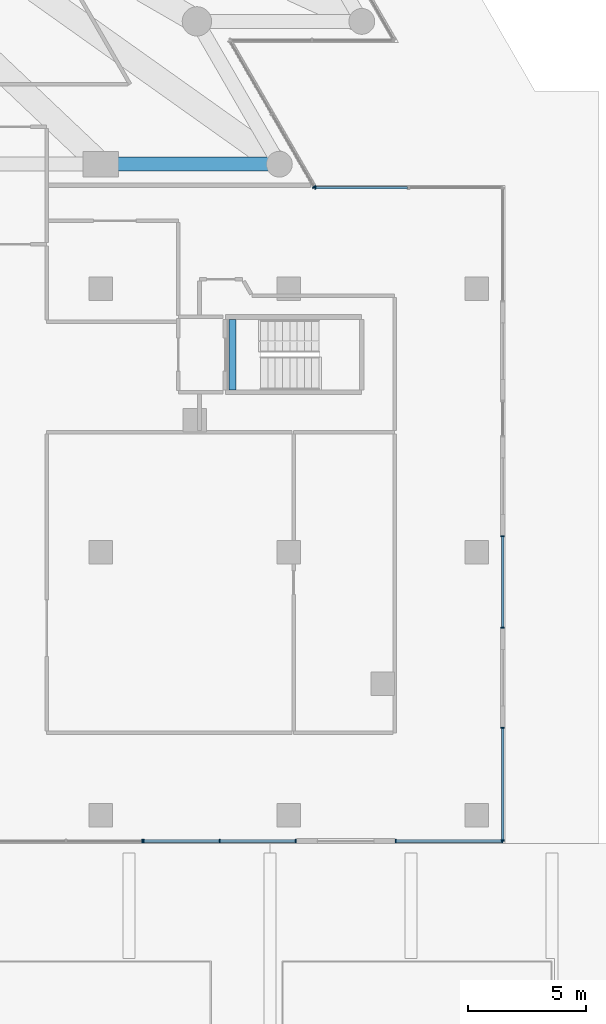
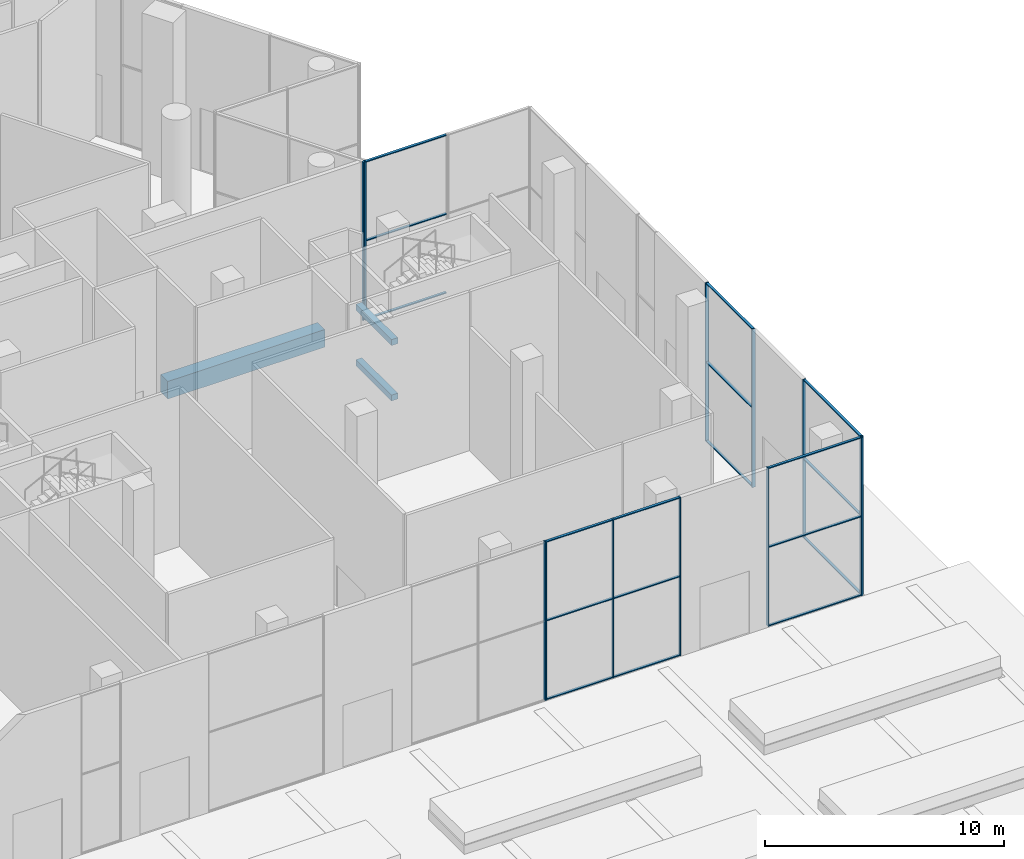
# One storey, part 8 of 41: 30 members, 3 beams, 7 elements without a shape of their own.
"""IFC4 building model written with IfcOpenShell, lengths in metres."""

from ifc_helpers import new_model, si_unit, direction, frame, origin, origin_2d, place, context, subcontext, project, spatial, rectangle, extrude, material, layer, layer_set, material_profile, profile_set, type_object, element, aggregate, save


model = new_model("IFC4")

# Units and contexts
model_context = context("Model", 3, precision=1e-05, world=origin(), true_north=direction((0.0, 1.0)))
body_context = subcontext(model_context, "Body", "Model", "MODEL_VIEW")
ifc_project = project(units=[si_unit("LENGTHUNIT", "METRE"), si_unit("AREAUNIT", "SQUARE_METRE"), si_unit("VOLUMEUNIT", "CUBIC_METRE"), si_unit("PLANEANGLEUNIT", "RADIAN"), si_unit("MASSUNIT", "GRAM", prefix="KILO")], contexts=[model_context])

# Site, building, storey
site_placement = place(None, origin())
site = spatial("IfcSite", under=ifc_project, at=site_placement, CompositionType="ELEMENT")
building_placement = place(site_placement, origin())
building = spatial("IfcBuilding", under=site, at=building_placement, Name="Triada Interchange Tower", CompositionType="ELEMENT")
storey_placement = place(building_placement, origin())
storey = spatial("IfcBuildingStorey", under=building, at=storey_placement, Name="L00", CompositionType="ELEMENT", Elevation=0.0)

# Beams
ifc_material_1 = material(Name="Concrete C35/45", Category="concrete")
ifc_material_profile_1 = material_profile(ifc_material_1, rectangle(XDim=0.300048828125, YDim=0.300048828125, at=origin_2d()), Name="RC 300x300")
ifc_profile_set_1 = profile_set([ifc_material_profile_1], Name="Concrete C35/45")
beam_type_1 = type_object("IfcBeamType", Name="Landing support beam RC 300x300", PredefinedType="BEAM", material=ifc_profile_set_1)
for number, where, z_axis, x_axis, name in (
    (1, (28.39990234375, -28.199951171875, 2.4833984375), (0.0, -1.0, 0.0), (1.0, 0.0, 0.0), "Landing support beam S00-9 1"),
    (2, (28.39990234375, -28.199951171875, 5.31689453125), (0.0, -1.0, 0.0), (1.0, 0.0, 0.0), "Landing support beam S00-9 2"),
):
    element("IfcBeam", number, at=place(storey_placement, frame(where, z_axis=z_axis, x_axis=x_axis)), inside=storey, type_object=beam_type_1, Name=name, PredefinedType="BEAM", context=body_context, shape_type="SweptSolid", body=[
        extrude(rectangle(XDim=0.300048828125, YDim=0.300048828125, at=origin_2d()), origin(), (0.0, 0.0, 1.0), 3.0),
    ])

# Curtain wall, member
ifc_material_2 = material(Name="Aluminium framed glazing", Category="aluminium")
ifc_layer_1 = layer(ifc_material_2, 0.199951171875)
ifc_layer_set_1 = layer_set([ifc_layer_1], Name="Curtain wall Retail shopfront")
curtain_wall_type_1 = type_object("IfcCurtainWallType", Name="Curtain wall Retail shopfront", PredefinedType="NOTDEFINED", material=ifc_layer_set_1)
curtain_wall_1_placement = place(storey_placement, origin())
curtain_wall_1 = element("IfcCurtainWall", 3, at=curtain_wall_1_placement, inside=storey, type_object=curtain_wall_type_1, Name="Retail shopfront CW008 L00", PredefinedType="NOTDEFINED")
ifc_material_3 = material(Name="Aluminium", Category="aluminium")
ifc_material_profile_2 = material_profile(ifc_material_3, rectangle(XDim=0.14990234375, YDim=0.050048828125, at=origin_2d()), Name="Aluminium mullion")
ifc_profile_set_2 = profile_set([ifc_material_profile_2], Name="Aluminium")
member_type_1 = type_object("IfcMemberType", Name="Mullion Retail shopfront 150x50", PredefinedType="MULLION", material=ifc_profile_set_2)
member_1_placement = place(storey_placement, frame((24.56005859375, -50.39990234375, 0.0), z_axis=(0.0, 0.0, 1.0), x_axis=(0.0, 1.0, 0.0)))
member_1 = element("IfcMember", 4, at=member_1_placement, type_object=member_type_1, Name="CW008 mullion 3", PredefinedType="MULLION", context=body_context, shape_type="SweptSolid", body=[
    extrude(rectangle(XDim=0.14990234375, YDim=0.050048828125, at=origin_2d()), origin(), (0.0, 0.0, 1.0), 8.10009765625),
])
aggregate(curtain_wall_1, [member_1])

# Curtain wall, members
curtain_wall_2_placement = place(storey_placement, origin())
curtain_wall_2 = element("IfcCurtainWall", 5, at=curtain_wall_2_placement, inside=storey, type_object=curtain_wall_type_1, Name="Retail shopfront CW009 L00", PredefinedType="NOTDEFINED")
member_2_placement = place(storey_placement, frame((24.6201171875, -50.39990234375, 0.0), z_axis=(0.0, 0.0, 1.0), x_axis=(0.0, 1.0, 0.0)))
member_2 = element("IfcMember", 6, at=member_2_placement, type_object=member_type_1, Name="CW009 mullion 1", PredefinedType="MULLION", context=body_context, shape_type="SweptSolid", body=[
    extrude(rectangle(XDim=0.14990234375, YDim=0.050048828125, at=origin_2d()), origin(), (0.0, 0.0, 1.0), 8.10009765625),
])
member_3_placement = place(storey_placement, frame((27.857421875, -50.39990234375, 0.0), z_axis=(0.0, 0.0, 1.0), x_axis=(0.0, 1.0, 0.0)))
member_3 = element("IfcMember", 7, at=member_3_placement, type_object=member_type_1, Name="CW009 mullion 2", PredefinedType="MULLION", context=body_context, shape_type="SweptSolid", body=[
    extrude(rectangle(XDim=0.14990234375, YDim=0.050048828125, at=origin_2d()), origin(), (0.0, 0.0, 1.0), 8.10009765625),
])
member_4_placement = place(storey_placement, frame((31.094970703125, -50.39990234375, 0.0), z_axis=(0.0, 0.0, 1.0), x_axis=(0.0, 1.0, 0.0)))
member_4 = element("IfcMember", 8, at=member_4_placement, type_object=member_type_1, Name="CW009 mullion 3", PredefinedType="MULLION", context=body_context, shape_type="SweptSolid", body=[
    extrude(rectangle(XDim=0.14990234375, YDim=0.050048828125, at=origin_2d()), origin(), (0.0, 0.0, 1.0), 8.10009765625),
])

curtain_wall_3_placement = place(storey_placement, origin())
curtain_wall_3 = element("IfcCurtainWall", 9, at=curtain_wall_3_placement, inside=storey, type_object=curtain_wall_type_1, Name="Retail shopfront CW010 L00", PredefinedType="NOTDEFINED")
member_5_placement = place(storey_placement, frame((35.344970703125, -50.39990234375, 0.0), z_axis=(0.0, 0.0, 1.0), x_axis=(0.0, 1.0, 0.0)))
member_5 = element("IfcMember", 10, at=member_5_placement, type_object=member_type_1, Name="CW010 mullion 1", PredefinedType="MULLION", context=body_context, shape_type="SweptSolid", body=[
    extrude(rectangle(XDim=0.14990234375, YDim=0.050048828125, at=origin_2d()), origin(), (0.0, 0.0, 1.0), 8.10009765625),
])
member_6_placement = place(storey_placement, frame((39.875, -50.39990234375, 0.0), z_axis=(0.0, 0.0, 1.0), x_axis=(0.0, 1.0, 0.0)))
member_6 = element("IfcMember", 11, at=member_6_placement, type_object=member_type_1, Name="CW010 mullion 2", PredefinedType="MULLION", context=body_context, shape_type="SweptSolid", body=[
    extrude(rectangle(XDim=0.14990234375, YDim=0.050048828125, at=origin_2d()), origin(), (0.0, 0.0, 1.0), 8.10009765625),
])

curtain_wall_4_placement = place(storey_placement, origin())
curtain_wall_4 = element("IfcCurtainWall", 12, at=curtain_wall_4_placement, inside=storey, type_object=curtain_wall_type_1, Name="Retail shopfront CW011 L00", PredefinedType="NOTDEFINED")
member_7_placement = place(storey_placement, frame((39.89990234375, -50.375, 0.0), z_axis=(0.0, 0.0, 1.0), x_axis=(-1.0, 0.0, 0.0)))
member_7 = element("IfcMember", 13, at=member_7_placement, type_object=member_type_1, Name="CW011 mullion 1", PredefinedType="MULLION", context=body_context, shape_type="SweptSolid", body=[
    extrude(rectangle(XDim=0.14990234375, YDim=0.050048828125, at=origin_2d()), origin(), (0.0, 0.0, 1.0), 8.10009765625),
])
member_8_placement = place(storey_placement, frame((39.89990234375, -45.574951171875, 0.0), z_axis=(0.0, 0.0, 1.0), x_axis=(-1.0, 0.0, 0.0)))
member_8 = element("IfcMember", 14, at=member_8_placement, type_object=member_type_1, Name="CW011 mullion 2", PredefinedType="MULLION", context=body_context, shape_type="SweptSolid", body=[
    extrude(rectangle(XDim=0.14990234375, YDim=0.050048828125, at=origin_2d()), origin(), (0.0, 0.0, 1.0), 8.10009765625),
])

curtain_wall_5_placement = place(storey_placement, origin())
curtain_wall_5 = element("IfcCurtainWall", 15, at=curtain_wall_5_placement, inside=storey, type_object=curtain_wall_type_1, Name="Retail shopfront CW012 L00", PredefinedType="NOTDEFINED")
member_9_placement = place(storey_placement, frame((39.89990234375, -41.324951171875, 0.0), z_axis=(0.0, 0.0, 1.0), x_axis=(-1.0, 0.0, 0.0)))
member_9 = element("IfcMember", 16, at=member_9_placement, type_object=member_type_1, Name="CW012 mullion 1", PredefinedType="MULLION", context=body_context, shape_type="SweptSolid", body=[
    extrude(rectangle(XDim=0.14990234375, YDim=0.050048828125, at=origin_2d()), origin(), (0.0, 0.0, 1.0), 8.10009765625),
])
member_10_placement = place(storey_placement, frame((39.89990234375, -37.425048828125, 0.0), z_axis=(0.0, 0.0, 1.0), x_axis=(-1.0, 0.0, 0.0)))
member_10 = element("IfcMember", 17, at=member_10_placement, type_object=member_type_1, Name="CW012 mullion 2", PredefinedType="MULLION", context=body_context, shape_type="SweptSolid", body=[
    extrude(rectangle(XDim=0.14990234375, YDim=0.050048828125, at=origin_2d()), origin(), (0.0, 0.0, 1.0), 8.10009765625),
])

# Curtain wall, member
curtain_wall_6_placement = place(storey_placement, origin())
curtain_wall_6 = element("IfcCurtainWall", 18, at=curtain_wall_6_placement, inside=storey, type_object=curtain_wall_type_1, Name="Retail shopfront CW016 L00", PredefinedType="NOTDEFINED")
member_11_placement = place(storey_placement, frame((31.923095703125, -22.60009765625, 0.0), z_axis=(0.0, 0.0, 1.0), x_axis=(0.0, -1.0, 0.0)))
member_11 = element("IfcMember", 19, at=member_11_placement, type_object=member_type_1, Name="CW016 mullion 2", PredefinedType="MULLION", context=body_context, shape_type="SweptSolid", body=[
    extrude(rectangle(XDim=0.14990234375, YDim=0.050048828125, at=origin_2d()), origin(), (0.0, 0.0, 1.0), 8.10009765625),
])

ifc_layer_2 = layer(ifc_material_2, 0.199951171875)
ifc_layer_set_2 = layer_set([ifc_layer_2], Name="Curtain wall Tower lobby glazing")
curtain_wall_type_2 = type_object("IfcCurtainWallType", Name="Curtain wall Tower lobby glazing", PredefinedType="NOTDEFINED", material=ifc_layer_set_2)
curtain_wall_7_placement = place(storey_placement, origin())
curtain_wall_7 = element("IfcCurtainWall", 20, at=curtain_wall_7_placement, inside=storey, type_object=curtain_wall_type_2, Name="Tower lobby glazing CW017 L00", PredefinedType="NOTDEFINED")
ifc_material_profile_3 = material_profile(ifc_material_3, rectangle(XDim=0.179931640625, YDim=0.06005859375, at=origin_2d()), Name="Aluminium mullion")
ifc_profile_set_3 = profile_set([ifc_material_profile_3], Name="Aluminium")
member_type_2 = type_object("IfcMemberType", Name="Mullion Tower lobby glazing 180x60", PredefinedType="MULLION", material=ifc_profile_set_3)
member_12_placement = place(storey_placement, frame((31.883056640625, -22.573974609375, 0.0), z_axis=(0.0, 0.0, 1.0), x_axis=(-0.866077569894, -0.499909634761, 0.0)))
member_12 = element("IfcMember", 21, at=member_12_placement, type_object=member_type_2, Name="CW017 mullion 1", PredefinedType="MULLION", context=body_context, shape_type="SweptSolid", body=[
    extrude(rectangle(XDim=0.179931640625, YDim=0.06005859375, at=origin_2d()), origin(), (0.0, 0.0, 1.0), 8.10009765625),
])
aggregate(curtain_wall_7, [member_12])

# Beam
ifc_material_4 = material(Name="Concrete C50/60", Category="concrete")
ifc_material_profile_4 = material_profile(ifc_material_4, rectangle(XDim=0.60009765625, YDim=0.89990234375, at=origin_2d()), Name="RC 600x900")
ifc_profile_set_4 = profile_set([ifc_material_profile_4], Name="Concrete C50/60")
beam_type_2 = type_object("IfcBeamType", Name="Spandrel beam P RC 600x900", PredefinedType="BEAM", material=ifc_profile_set_4)
beam_placement = place(storey_placement, frame((22.798095703125, -21.60009765625, -0.85009765625), z_axis=(1.0, 0.0, 0.0), x_axis=(0.0, 1.0, 0.0)))
element("IfcBeam", 22, at=beam_placement, inside=storey, type_object=beam_type_2, Name="Spandrel beam EP18 L00", PredefinedType="BEAM", context=body_context, shape_type="SweptSolid", body=[
    extrude(rectangle(XDim=0.60009765625, YDim=0.89990234375, at=origin_2d()), origin(), (0.0, 0.0, 1.0), 7.598876953125),
])

# Member
ifc_material_profile_5 = material_profile(ifc_material_3, rectangle(XDim=0.1201171875, YDim=0.050048828125, at=origin_2d()), Name="Aluminium transom")
ifc_profile_set_5 = profile_set([ifc_material_profile_5], Name="Aluminium")
member_type_3 = type_object("IfcMemberType", Name="Transom Retail shopfront 120x50", PredefinedType="USERDEFINED", material=ifc_profile_set_5)
member_13_placement = place(storey_placement, frame((24.64501953125, -50.39990234375, 0.02490234375), z_axis=(1.0, 0.0, 0.0), x_axis=(0.0, 1.0, 0.0)))
member_13 = element("IfcMember", 23, at=member_13_placement, type_object=member_type_3, Name="CW009 transom 1.1", ObjectType="TRANSOM", PredefinedType="USERDEFINED", context=body_context, shape_type="SweptSolid", body=[
    extrude(rectangle(XDim=0.1201171875, YDim=0.050048828125, at=origin_2d()), origin(), (0.0, 0.0, 1.0), 3.1875),
])

member_14_placement = place(storey_placement, frame((24.64501953125, -50.39990234375, 4.050048828125), z_axis=(1.0, 0.0, 0.0), x_axis=(0.0, 1.0, 0.0)))
member_14 = element("IfcMember", 24, at=member_14_placement, type_object=member_type_3, Name="CW009 transom 1.2", ObjectType="TRANSOM", PredefinedType="USERDEFINED", context=body_context, shape_type="SweptSolid", body=[
    extrude(rectangle(XDim=0.1201171875, YDim=0.050048828125, at=origin_2d()), origin(), (0.0, 0.0, 1.0), 3.1875),
])

member_15_placement = place(storey_placement, frame((24.64501953125, -50.39990234375, 8.074951171875), z_axis=(1.0, 0.0, 0.0), x_axis=(0.0, 1.0, 0.0)))
member_15 = element("IfcMember", 25, at=member_15_placement, type_object=member_type_3, Name="CW009 transom 1.3", ObjectType="TRANSOM", PredefinedType="USERDEFINED", context=body_context, shape_type="SweptSolid", body=[
    extrude(rectangle(XDim=0.1201171875, YDim=0.050048828125, at=origin_2d()), origin(), (0.0, 0.0, 1.0), 3.1875),
])

member_16_placement = place(storey_placement, frame((27.882568359375, -50.39990234375, 0.02490234375), z_axis=(1.0, 0.0, 0.0), x_axis=(0.0, 1.0, 0.0)))
member_16 = element("IfcMember", 26, at=member_16_placement, type_object=member_type_3, Name="CW009 transom 2.1", ObjectType="TRANSOM", PredefinedType="USERDEFINED", context=body_context, shape_type="SweptSolid", body=[
    extrude(rectangle(XDim=0.1201171875, YDim=0.050048828125, at=origin_2d()), origin(), (0.0, 0.0, 1.0), 3.1875),
])

member_17_placement = place(storey_placement, frame((27.882568359375, -50.39990234375, 4.050048828125), z_axis=(1.0, 0.0, 0.0), x_axis=(0.0, 1.0, 0.0)))
member_17 = element("IfcMember", 27, at=member_17_placement, type_object=member_type_3, Name="CW009 transom 2.2", ObjectType="TRANSOM", PredefinedType="USERDEFINED", context=body_context, shape_type="SweptSolid", body=[
    extrude(rectangle(XDim=0.1201171875, YDim=0.050048828125, at=origin_2d()), origin(), (0.0, 0.0, 1.0), 3.1875),
])

member_18_placement = place(storey_placement, frame((27.882568359375, -50.39990234375, 8.074951171875), z_axis=(1.0, 0.0, 0.0), x_axis=(0.0, 1.0, 0.0)))
member_18 = element("IfcMember", 28, at=member_18_placement, type_object=member_type_3, Name="CW009 transom 2.3", ObjectType="TRANSOM", PredefinedType="USERDEFINED", context=body_context, shape_type="SweptSolid", body=[
    extrude(rectangle(XDim=0.1201171875, YDim=0.050048828125, at=origin_2d()), origin(), (0.0, 0.0, 1.0), 3.1875),
])

aggregate(curtain_wall_2, [member_2, member_3, member_4, member_13, member_14, member_15, member_16, member_17, member_18])

member_19_placement = place(storey_placement, frame((35.3701171875, -50.39990234375, 0.02490234375), z_axis=(1.0, 0.0, 0.0), x_axis=(0.0, 1.0, 0.0)))
member_19 = element("IfcMember", 29, at=member_19_placement, type_object=member_type_3, Name="CW010 transom 1.1", ObjectType="TRANSOM", PredefinedType="USERDEFINED", context=body_context, shape_type="SweptSolid", body=[
    extrude(rectangle(XDim=0.1201171875, YDim=0.050048828125, at=origin_2d()), origin(), (0.0, 0.0, 1.0), 4.47998046875),
])

member_20_placement = place(storey_placement, frame((35.3701171875, -50.39990234375, 4.050048828125), z_axis=(1.0, 0.0, 0.0), x_axis=(0.0, 1.0, 0.0)))
member_20 = element("IfcMember", 30, at=member_20_placement, type_object=member_type_3, Name="CW010 transom 1.2", ObjectType="TRANSOM", PredefinedType="USERDEFINED", context=body_context, shape_type="SweptSolid", body=[
    extrude(rectangle(XDim=0.1201171875, YDim=0.050048828125, at=origin_2d()), origin(), (0.0, 0.0, 1.0), 4.47998046875),
])

member_21_placement = place(storey_placement, frame((35.3701171875, -50.39990234375, 8.074951171875), z_axis=(1.0, 0.0, 0.0), x_axis=(0.0, 1.0, 0.0)))
member_21 = element("IfcMember", 31, at=member_21_placement, type_object=member_type_3, Name="CW010 transom 1.3", ObjectType="TRANSOM", PredefinedType="USERDEFINED", context=body_context, shape_type="SweptSolid", body=[
    extrude(rectangle(XDim=0.1201171875, YDim=0.050048828125, at=origin_2d()), origin(), (0.0, 0.0, 1.0), 4.47998046875),
])

aggregate(curtain_wall_3, [member_5, member_6, member_19, member_20, member_21])

member_22_placement = place(storey_placement, frame((39.89990234375, -50.35009765625, 0.02490234375), z_axis=(0.0, 1.0, 0.0), x_axis=(-1.0, 0.0, 0.0)))
member_22 = element("IfcMember", 32, at=member_22_placement, type_object=member_type_3, Name="CW011 transom 1.1", ObjectType="TRANSOM", PredefinedType="USERDEFINED", context=body_context, shape_type="SweptSolid", body=[
    extrude(rectangle(XDim=0.1201171875, YDim=0.050048828125, at=origin_2d()), origin(), (0.0, 0.0, 1.0), 4.75),
])

member_23_placement = place(storey_placement, frame((39.89990234375, -50.35009765625, 4.050048828125), z_axis=(0.0, 1.0, 0.0), x_axis=(-1.0, 0.0, 0.0)))
member_23 = element("IfcMember", 33, at=member_23_placement, type_object=member_type_3, Name="CW011 transom 1.2", ObjectType="TRANSOM", PredefinedType="USERDEFINED", context=body_context, shape_type="SweptSolid", body=[
    extrude(rectangle(XDim=0.1201171875, YDim=0.050048828125, at=origin_2d()), origin(), (0.0, 0.0, 1.0), 4.75),
])

member_24_placement = place(storey_placement, frame((39.89990234375, -50.35009765625, 8.074951171875), z_axis=(0.0, 1.0, 0.0), x_axis=(-1.0, 0.0, 0.0)))
member_24 = element("IfcMember", 34, at=member_24_placement, type_object=member_type_3, Name="CW011 transom 1.3", ObjectType="TRANSOM", PredefinedType="USERDEFINED", context=body_context, shape_type="SweptSolid", body=[
    extrude(rectangle(XDim=0.1201171875, YDim=0.050048828125, at=origin_2d()), origin(), (0.0, 0.0, 1.0), 4.75),
])

aggregate(curtain_wall_4, [member_7, member_8, member_22, member_23, member_24])

member_25_placement = place(storey_placement, frame((39.89990234375, -41.300048828125, 0.02490234375), z_axis=(0.0, 1.0, 0.0), x_axis=(-1.0, 0.0, 0.0)))
member_25 = element("IfcMember", 35, at=member_25_placement, type_object=member_type_3, Name="CW012 transom 1.1", ObjectType="TRANSOM", PredefinedType="USERDEFINED", context=body_context, shape_type="SweptSolid", body=[
    extrude(rectangle(XDim=0.1201171875, YDim=0.050048828125, at=origin_2d()), origin(), (0.0, 0.0, 1.0), 3.85009765625),
])

member_26_placement = place(storey_placement, frame((39.89990234375, -41.300048828125, 4.050048828125), z_axis=(0.0, 1.0, 0.0), x_axis=(-1.0, 0.0, 0.0)))
member_26 = element("IfcMember", 36, at=member_26_placement, type_object=member_type_3, Name="CW012 transom 1.2", ObjectType="TRANSOM", PredefinedType="USERDEFINED", context=body_context, shape_type="SweptSolid", body=[
    extrude(rectangle(XDim=0.1201171875, YDim=0.050048828125, at=origin_2d()), origin(), (0.0, 0.0, 1.0), 3.85009765625),
])

member_27_placement = place(storey_placement, frame((39.89990234375, -41.300048828125, 8.074951171875), z_axis=(0.0, 1.0, 0.0), x_axis=(-1.0, 0.0, 0.0)))
member_27 = element("IfcMember", 37, at=member_27_placement, type_object=member_type_3, Name="CW012 transom 1.3", ObjectType="TRANSOM", PredefinedType="USERDEFINED", context=body_context, shape_type="SweptSolid", body=[
    extrude(rectangle(XDim=0.1201171875, YDim=0.050048828125, at=origin_2d()), origin(), (0.0, 0.0, 1.0), 3.85009765625),
])

aggregate(curtain_wall_5, [member_9, member_10, member_25, member_26, member_27])

member_28_placement = place(storey_placement, frame((35.843994140625, -22.60009765625, 0.02490234375), z_axis=(-1.0, 0.0, 0.0), x_axis=(0.0, -1.0, 0.0)))
member_28 = element("IfcMember", 38, at=member_28_placement, type_object=member_type_3, Name="CW016 transom 1.1", ObjectType="TRANSOM", PredefinedType="USERDEFINED", context=body_context, shape_type="SweptSolid", body=[
    extrude(rectangle(XDim=0.1201171875, YDim=0.050048828125, at=origin_2d()), origin(), (0.0, 0.0, 1.0), 3.89599609375),
])

member_29_placement = place(storey_placement, frame((35.843994140625, -22.60009765625, 4.050048828125), z_axis=(-1.0, 0.0, 0.0), x_axis=(0.0, -1.0, 0.0)))
member_29 = element("IfcMember", 39, at=member_29_placement, type_object=member_type_3, Name="CW016 transom 1.2", ObjectType="TRANSOM", PredefinedType="USERDEFINED", context=body_context, shape_type="SweptSolid", body=[
    extrude(rectangle(XDim=0.1201171875, YDim=0.050048828125, at=origin_2d()), origin(), (0.0, 0.0, 1.0), 3.89599609375),
])

member_30_placement = place(storey_placement, frame((35.843994140625, -22.60009765625, 8.074951171875), z_axis=(-1.0, 0.0, 0.0), x_axis=(0.0, -1.0, 0.0)))
member_30 = element("IfcMember", 40, at=member_30_placement, type_object=member_type_3, Name="CW016 transom 1.3", ObjectType="TRANSOM", PredefinedType="USERDEFINED", context=body_context, shape_type="SweptSolid", body=[
    extrude(rectangle(XDim=0.1201171875, YDim=0.050048828125, at=origin_2d()), origin(), (0.0, 0.0, 1.0), 3.89599609375),
])

aggregate(curtain_wall_6, [member_11, member_28, member_29, member_30])

save(model, "model.ifc")
